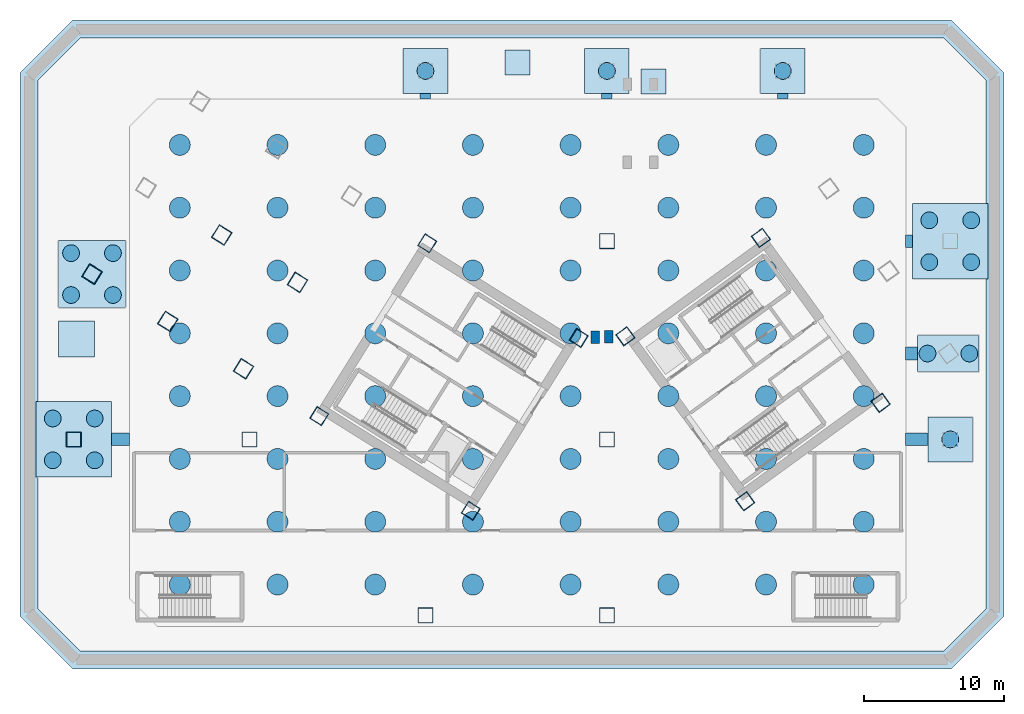
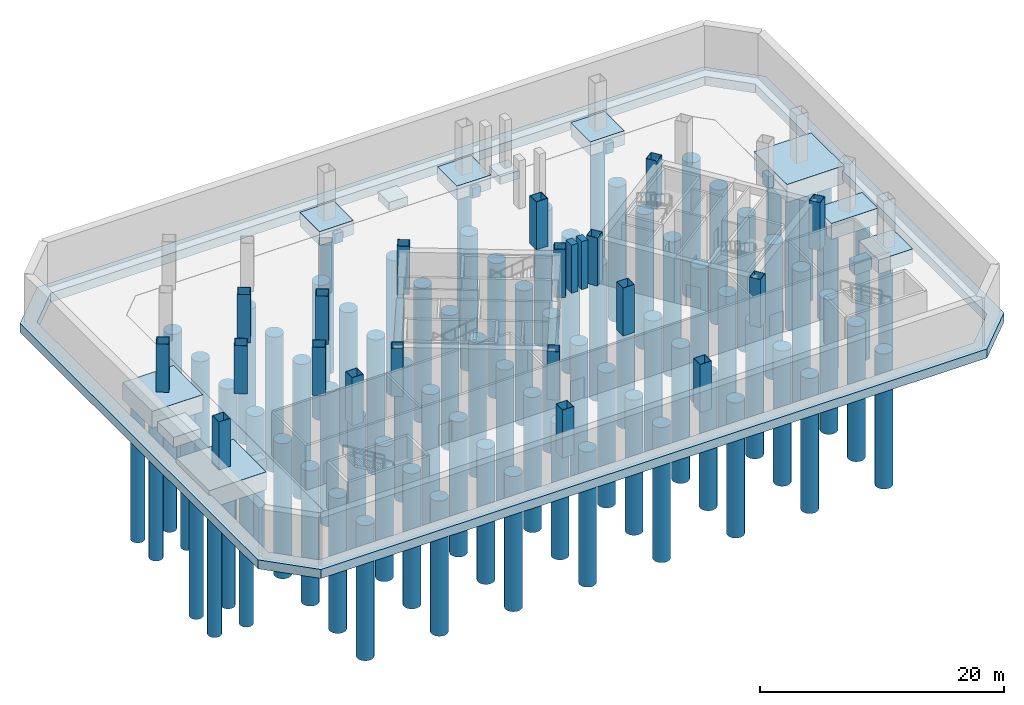
# One storey, part 1 of 11: 82 piles, 21 columns, 19 footings.
"""IFC4 building model written with IfcOpenShell, lengths in metres."""

from ifc_helpers import new_model, si_unit, direction, frame, origin, origin_2d, place, context, subcontext, project, spatial, polyline, rectangle, hollow_rectangle, circle, outline, extrude, source, transform, mapped, material, material_profile, profile_set, type_object, element, save


model = new_model("IFC4")

# Units and contexts
model_context = context("Model", 3, precision=1e-05, world=origin(), true_north=direction((0.0, 1.0)))
body_context = subcontext(model_context, "Body", "Model", "MODEL_VIEW")
ifc_project = project(units=[si_unit("LENGTHUNIT", "METRE"), si_unit("AREAUNIT", "SQUARE_METRE"), si_unit("VOLUMEUNIT", "CUBIC_METRE"), si_unit("PLANEANGLEUNIT", "RADIAN"), si_unit("MASSUNIT", "GRAM", prefix="KILO")], contexts=[model_context])

# Site, building, storey
site_placement = place(None, origin())
site = spatial("IfcSite", under=ifc_project, at=site_placement, CompositionType="ELEMENT")
building_placement = place(site_placement, origin())
building = spatial("IfcBuilding", under=site, at=building_placement, Name="Tlacorven Tower", CompositionType="ELEMENT")
storey_placement = place(building_placement, frame((0.0, 0.0, -9.60009765625)))
storey = spatial("IfcBuildingStorey", under=building, at=storey_placement, Name="B2", CompositionType="ELEMENT", Elevation=-9.60009765625)

# Footings
ifc_material_1 = material(Name="Concrete C50/60", Category="concrete")
footing_type_1 = type_object("IfcFootingType", Name="FT-GBM-750", PredefinedType="FOOTING_BEAM", material=ifc_material_1)
footing_1_placement = place(storey_placement, frame((0.0, 0.0, -1.449951171875)))
element("IfcFooting", 1, at=footing_1_placement, inside=storey, type_object=footing_type_1, Name="B2 Foundation Tie Beam 02", PredefinedType="FOOTING_BEAM", context=body_context, shape_type="SweptSolid", body=[
    extrude(outline(polyline([(30.175048828125, 41.60009765625), (30.175048828125, 42.0), (29.425048828125, 42.0), (29.425048828125, 41.60009765625), (30.175048828125, 41.60009765625)])), origin(), (0.0, 0.0, 1.0), 1.0),
])
footing_2_placement = place(storey_placement, frame((0.0, 0.0, -1.449951171875)))
element("IfcFooting", 2, at=footing_2_placement, inside=storey, type_object=footing_type_1, Name="B2 Foundation Tie Beam 03", PredefinedType="FOOTING_BEAM", context=body_context, shape_type="SweptSolid", body=[
    extrude(outline(polyline([(43.175048828125, 41.60009765625), (43.175048828125, 42.0), (42.425048828125, 42.0), (42.425048828125, 41.60009765625), (43.175048828125, 41.60009765625)])), origin(), (0.0, 0.0, 1.0), 1.0),
])
footing_3_placement = place(storey_placement, frame((0.0, 0.0, -1.449951171875)))
element("IfcFooting", 3, at=footing_3_placement, inside=storey, type_object=footing_type_1, Name="B2 Foundation Tie Beam 04", PredefinedType="FOOTING_BEAM", context=body_context, shape_type="SweptSolid", body=[
    extrude(outline(polyline([(55.77490234375, 41.60009765625), (55.77490234375, 42.0), (55.02490234375, 42.0), (55.02490234375, 41.60009765625), (55.77490234375, 41.60009765625)])), origin(), (0.0, 0.0, 1.0), 1.0),
])
footing_type_2 = type_object("IfcFootingType", Name="FT-GBM-900", PredefinedType="FOOTING_BEAM", material=ifc_material_1)
footing_4_placement = place(storey_placement, frame((0.0, 0.0, -1.64990234375)))
element("IfcFooting", 4, at=footing_4_placement, inside=storey, type_object=footing_type_2, Name="B2 Foundation Tie Beam 01", PredefinedType="FOOTING_BEAM", context=body_context, shape_type="SweptSolid", body=[
    extrude(outline(polyline([(7.300048828125, 16.75), (8.60009765625, 16.75), (8.60009765625, 17.64990234375), (7.300048828125, 17.64990234375), (7.300048828125, 16.75)])), origin(), (0.0, 0.0, 1.0), 1.199951171875),
])
footing_5_placement = place(storey_placement, frame((0.0, 0.0, -1.64990234375)))
element("IfcFooting", 5, at=footing_5_placement, inside=storey, type_object=footing_type_2, Name="B2 Foundation Tie Beam 05", PredefinedType="FOOTING_BEAM", context=body_context, shape_type="SweptSolid", body=[
    extrude(outline(polyline([(64.199951171875, 22.904052734375), (65.068115234375, 22.904052734375), (65.068115234375, 23.803955078125), (64.199951171875, 23.803955078125), (64.199951171875, 22.904052734375)])), origin(), (0.0, 0.0, 1.0), 1.199951171875),
])
footing_6_placement = place(storey_placement, frame((0.0, 0.0, -1.64990234375)))
element("IfcFooting", 6, at=footing_6_placement, inside=storey, type_object=footing_type_2, Name="B2 Foundation Tie Beam 06", PredefinedType="FOOTING_BEAM", context=body_context, shape_type="SweptSolid", body=[
    extrude(outline(polyline([(64.199951171875, 16.75), (65.800048828125, 16.75), (65.800048828125, 17.64990234375), (64.199951171875, 17.64990234375), (64.199951171875, 16.75)])), origin(), (0.0, 0.0, 1.0), 1.199951171875),
])
footing_7_placement = place(storey_placement, frame((0.0, 0.0, -1.64990234375)))
element("IfcFooting", 7, at=footing_7_placement, inside=storey, type_object=footing_type_2, Name="B2 Foundation Tie Beam 07", PredefinedType="FOOTING_BEAM", context=body_context, shape_type="SweptSolid", body=[
    extrude(outline(polyline([(64.199951171875, 30.949951171875), (64.699951171875, 30.949951171875), (64.699951171875, 31.85009765625), (64.199951171875, 31.85009765625), (64.199951171875, 30.949951171875)])), origin(), (0.0, 0.0, 1.0), 1.199951171875),
])
footing_type_3 = type_object("IfcFootingType", Name="FT-STR-1400", PredefinedType="STRIP_FOOTING", material=ifc_material_1)
footing_8_placement = place(storey_placement, frame((0.0, 0.0, -1.349853515625)))
element("IfcFooting", 8, at=footing_8_placement, inside=storey, type_object=footing_type_3, Name="B2 Perimeter Retaining Wall Strip Footing 1", PredefinedType="STRIP_FOOTING", context=body_context, shape_type="SweptSolid", body=[
    extrude(outline(polyline([(0.75, 43.46923828125), (4.53076171875, 47.25), (67.46923828125, 47.25), (71.25, 43.46923828125), (71.25, 4.53076171875), (67.46923828125, 0.75), (4.53076171875, 0.75), (0.75, 4.53076171875), (0.75, 43.46923828125)]), holes=[polyline([(69.949951171875, 5.0693359375), (69.949951171875, 28.679931640625), (70.10009765625, 28.679931640625), (70.10205078125, 28.68017578125), (70.10400390625, 28.680419921875), (70.105712890625, 28.680908203125), (70.107666015625, 28.681640625), (70.109375, 28.682373046875), (70.111083984375, 28.683349609375), (70.11279296875, 28.6845703125), (70.1142578125, 28.685791015625), (70.115478515625, 28.687255859375), (70.11669921875, 28.68896484375), (70.11767578125, 28.690673828125), (70.118408203125, 28.6923828125), (70.119140625, 28.694091796875), (70.11962890625, 28.696044921875), (70.119873046875, 28.697998046875), (70.1201171875, 28.699951171875), (70.1201171875, 34.10009765625), (70.119873046875, 34.10205078125), (70.11962890625, 34.10400390625), (70.119140625, 34.105712890625), (70.118408203125, 34.107666015625), (70.11767578125, 34.109375), (70.11669921875, 34.111083984375), (70.115478515625, 34.11279296875), (70.1142578125, 34.1142578125), (70.11279296875, 34.115478515625), (70.111083984375, 34.11669921875), (70.109375, 34.11767578125), (70.107666015625, 34.118408203125), (70.105712890625, 34.119140625), (70.10400390625, 34.11962890625), (70.10205078125, 34.119873046875), (70.10009765625, 34.1201171875), (69.949951171875, 34.1201171875), (69.949951171875, 42.9306640625), (66.9306640625, 45.949951171875), (5.0693359375, 45.949951171875), (2.050048828125, 42.9306640625), (2.050048828125, 19.919921875), (1.89990234375, 19.919921875), (1.89794921875, 19.919921875), (1.89599609375, 19.919677734375), (1.894287109375, 19.919189453125), (1.892333984375, 19.91845703125), (1.890625, 19.917724609375), (1.888916015625, 19.916748046875), (1.88720703125, 19.91552734375), (1.8857421875, 19.9140625), (1.884521484375, 19.91259765625), (1.88330078125, 19.9111328125), (1.88232421875, 19.909423828125), (1.881591796875, 19.90771484375), (1.880859375, 19.90576171875), (1.88037109375, 19.90380859375), (1.880126953125, 19.90185546875), (1.8798828125, 19.89990234375), (1.8798828125, 14.5), (1.880126953125, 14.498046875), (1.88037109375, 14.49609375), (1.880859375, 14.494140625), (1.881591796875, 14.492431640625), (1.88232421875, 14.490478515625), (1.88330078125, 14.48876953125), (1.884521484375, 14.4873046875), (1.8857421875, 14.48583984375), (1.88720703125, 14.484619140625), (1.888916015625, 14.4833984375), (1.890625, 14.482421875), (1.892333984375, 14.4814453125), (1.894287109375, 14.48095703125), (1.89599609375, 14.48046875), (1.89794921875, 14.47998046875), (1.89990234375, 14.47998046875), (2.050048828125, 14.47998046875), (2.050048828125, 5.0693359375), (5.0693359375, 2.050048828125), (66.9306640625, 2.050048828125), (69.949951171875, 5.0693359375)])]), origin(), (0.0, 0.0, 1.0), 0.89990234375),
])

# Piles
ifc_material_profile_1 = material_profile(ifc_material_1, circle(Radius=0.75, at=origin_2d()), Name="BORED PILE D1500")
ifc_profile_set_1 = profile_set([ifc_material_profile_1], Name="Concrete C50/60")
pile_type_1 = type_object("IfcPileType", Name="PL-BRD-1500", PredefinedType="BORED", material=ifc_profile_set_1)
shared_shape_1 = source(origin(), body_context, "Body", "SweptSolid", [
    extrude(circle(Radius=0.75, at=origin_2d()), origin(), (0.0, 0.0, 1.0), 13.5),
])
for number, where, z_axis, x_axis, name in (
    (9, (12.199951171875, 6.800048828125, -1.89990234375), (0.0, 0.0, -1.0), (1.0, 0.0, 0.0), "B2 Raft Bored Pile 001"),
    (10, (12.199951171875, 11.300048828125, -1.89990234375), (0.0, 0.0, -1.0), (1.0, 0.0, 0.0), "B2 Raft Bored Pile 002"),
    (11, (12.199951171875, 15.800048828125, -1.89990234375), (0.0, 0.0, -1.0), (1.0, 0.0, 0.0), "B2 Raft Bored Pile 003"),
    (12, (12.199951171875, 20.300048828125, -1.89990234375), (0.0, 0.0, -1.0), (1.0, 0.0, 0.0), "B2 Raft Bored Pile 004"),
    (13, (12.199951171875, 24.800048828125, -1.89990234375), (0.0, 0.0, -1.0), (1.0, 0.0, 0.0), "B2 Raft Bored Pile 005"),
    (14, (12.199951171875, 29.300048828125, -1.89990234375), (0.0, 0.0, -1.0), (1.0, 0.0, 0.0), "B2 Raft Bored Pile 006"),
    (15, (12.199951171875, 33.800048828125, -1.89990234375), (0.0, 0.0, -1.0), (1.0, 0.0, 0.0), "B2 Raft Bored Pile 007"),
    (16, (12.199951171875, 38.300048828125, -1.89990234375), (0.0, 0.0, -1.0), (1.0, 0.0, 0.0), "B2 Raft Bored Pile 008"),
    (17, (19.199951171875, 6.800048828125, -1.89990234375), (0.0, 0.0, -1.0), (1.0, 0.0, 0.0), "B2 Raft Bored Pile 009"),
    (18, (19.199951171875, 11.300048828125, -1.89990234375), (0.0, 0.0, -1.0), (1.0, 0.0, 0.0), "B2 Raft Bored Pile 010"),
    (19, (19.199951171875, 15.800048828125, -1.89990234375), (0.0, 0.0, -1.0), (1.0, 0.0, 0.0), "B2 Raft Bored Pile 011"),
    (20, (19.199951171875, 20.300048828125, -1.89990234375), (0.0, 0.0, -1.0), (1.0, 0.0, 0.0), "B2 Raft Bored Pile 012"),
    (21, (19.199951171875, 24.800048828125, -1.89990234375), (0.0, 0.0, -1.0), (1.0, 0.0, 0.0), "B2 Raft Bored Pile 013"),
    (22, (19.199951171875, 29.300048828125, -1.89990234375), (0.0, 0.0, -1.0), (1.0, 0.0, 0.0), "B2 Raft Bored Pile 014"),
    (23, (19.199951171875, 33.800048828125, -1.89990234375), (0.0, 0.0, -1.0), (1.0, 0.0, 0.0), "B2 Raft Bored Pile 015"),
    (24, (19.199951171875, 38.300048828125, -1.89990234375), (0.0, 0.0, -1.0), (1.0, 0.0, 0.0), "B2 Raft Bored Pile 016"),
    (25, (26.199951171875, 6.800048828125, -1.89990234375), (0.0, 0.0, -1.0), (1.0, 0.0, 0.0), "B2 Raft Bored Pile 017"),
    (26, (26.199951171875, 11.300048828125, -1.89990234375), (0.0, 0.0, -1.0), (1.0, 0.0, 0.0), "B2 Raft Bored Pile 018"),
    (27, (26.199951171875, 15.800048828125, -1.89990234375), (0.0, 0.0, -1.0), (1.0, 0.0, 0.0), "B2 Raft Bored Pile 019"),
    (28, (26.199951171875, 20.300048828125, -1.89990234375), (0.0, 0.0, -1.0), (1.0, 0.0, 0.0), "B2 Raft Bored Pile 020"),
    (29, (26.199951171875, 24.800048828125, -1.89990234375), (0.0, 0.0, -1.0), (1.0, 0.0, 0.0), "B2 Raft Bored Pile 021"),
    (30, (26.199951171875, 29.300048828125, -1.89990234375), (0.0, 0.0, -1.0), (1.0, 0.0, 0.0), "B2 Raft Bored Pile 022"),
    (31, (26.199951171875, 33.800048828125, -1.89990234375), (0.0, 0.0, -1.0), (1.0, 0.0, 0.0), "B2 Raft Bored Pile 023"),
    (32, (26.199951171875, 38.300048828125, -1.89990234375), (0.0, 0.0, -1.0), (1.0, 0.0, 0.0), "B2 Raft Bored Pile 024"),
    (33, (33.199951171875, 6.800048828125, -1.89990234375), (0.0, 0.0, -1.0), (1.0, 0.0, 0.0), "B2 Raft Bored Pile 025"),
    (34, (33.199951171875, 11.300048828125, -1.89990234375), (0.0, 0.0, -1.0), (1.0, 0.0, 0.0), "B2 Raft Bored Pile 026"),
    (35, (33.199951171875, 15.800048828125, -1.89990234375), (0.0, 0.0, -1.0), (1.0, 0.0, 0.0), "B2 Raft Bored Pile 027"),
    (36, (33.199951171875, 20.300048828125, -1.89990234375), (0.0, 0.0, -1.0), (1.0, 0.0, 0.0), "B2 Raft Bored Pile 028"),
    (37, (33.199951171875, 24.800048828125, -1.89990234375), (0.0, 0.0, -1.0), (1.0, 0.0, 0.0), "B2 Raft Bored Pile 029"),
    (38, (33.199951171875, 29.300048828125, -1.89990234375), (0.0, 0.0, -1.0), (1.0, 0.0, 0.0), "B2 Raft Bored Pile 030"),
    (39, (33.199951171875, 33.800048828125, -1.89990234375), (0.0, 0.0, -1.0), (1.0, 0.0, 0.0), "B2 Raft Bored Pile 031"),
    (40, (33.199951171875, 38.300048828125, -1.89990234375), (0.0, 0.0, -1.0), (1.0, 0.0, 0.0), "B2 Raft Bored Pile 032"),
    (41, (40.199951171875, 6.800048828125, -1.89990234375), (0.0, 0.0, -1.0), (1.0, 0.0, 0.0), "B2 Raft Bored Pile 033"),
    (42, (40.199951171875, 11.300048828125, -1.89990234375), (0.0, 0.0, -1.0), (1.0, 0.0, 0.0), "B2 Raft Bored Pile 034"),
    (43, (40.199951171875, 15.800048828125, -1.89990234375), (0.0, 0.0, -1.0), (1.0, 0.0, 0.0), "B2 Raft Bored Pile 035"),
    (44, (40.199951171875, 20.300048828125, -1.89990234375), (0.0, 0.0, -1.0), (1.0, 0.0, 0.0), "B2 Raft Bored Pile 036"),
    (45, (40.199951171875, 24.800048828125, -1.89990234375), (0.0, 0.0, -1.0), (1.0, 0.0, 0.0), "B2 Raft Bored Pile 037"),
    (46, (40.199951171875, 29.300048828125, -1.89990234375), (0.0, 0.0, -1.0), (1.0, 0.0, 0.0), "B2 Raft Bored Pile 038"),
    (47, (40.199951171875, 33.800048828125, -1.89990234375), (0.0, 0.0, -1.0), (1.0, 0.0, 0.0), "B2 Raft Bored Pile 039"),
    (48, (40.199951171875, 38.300048828125, -1.89990234375), (0.0, 0.0, -1.0), (1.0, 0.0, 0.0), "B2 Raft Bored Pile 040"),
    (49, (47.199951171875, 6.800048828125, -1.89990234375), (0.0, 0.0, -1.0), (1.0, 0.0, 0.0), "B2 Raft Bored Pile 041"),
    (50, (47.199951171875, 11.300048828125, -1.89990234375), (0.0, 0.0, -1.0), (1.0, 0.0, 0.0), "B2 Raft Bored Pile 042"),
    (51, (47.199951171875, 15.800048828125, -1.89990234375), (0.0, 0.0, -1.0), (1.0, 0.0, 0.0), "B2 Raft Bored Pile 043"),
    (52, (47.199951171875, 20.300048828125, -1.89990234375), (0.0, 0.0, -1.0), (1.0, 0.0, 0.0), "B2 Raft Bored Pile 044"),
    (53, (47.199951171875, 24.800048828125, -1.89990234375), (0.0, 0.0, -1.0), (1.0, 0.0, 0.0), "B2 Raft Bored Pile 045"),
    (54, (47.199951171875, 29.300048828125, -1.89990234375), (0.0, 0.0, -1.0), (1.0, 0.0, 0.0), "B2 Raft Bored Pile 046"),
    (55, (47.199951171875, 33.800048828125, -1.89990234375), (0.0, 0.0, -1.0), (1.0, 0.0, 0.0), "B2 Raft Bored Pile 047"),
    (56, (47.199951171875, 38.300048828125, -1.89990234375), (0.0, 0.0, -1.0), (1.0, 0.0, 0.0), "B2 Raft Bored Pile 048"),
    (57, (54.199951171875, 6.800048828125, -1.89990234375), (0.0, 0.0, -1.0), (1.0, 0.0, 0.0), "B2 Raft Bored Pile 049"),
    (58, (54.199951171875, 11.300048828125, -1.89990234375), (0.0, 0.0, -1.0), (1.0, 0.0, 0.0), "B2 Raft Bored Pile 050"),
    (59, (54.199951171875, 15.800048828125, -1.89990234375), (0.0, 0.0, -1.0), (1.0, 0.0, 0.0), "B2 Raft Bored Pile 051"),
    (60, (54.199951171875, 20.300048828125, -1.89990234375), (0.0, 0.0, -1.0), (1.0, 0.0, 0.0), "B2 Raft Bored Pile 052"),
    (61, (54.199951171875, 24.800048828125, -1.89990234375), (0.0, 0.0, -1.0), (1.0, 0.0, 0.0), "B2 Raft Bored Pile 053"),
    (62, (54.199951171875, 29.300048828125, -1.89990234375), (0.0, 0.0, -1.0), (1.0, 0.0, 0.0), "B2 Raft Bored Pile 054"),
    (63, (54.199951171875, 33.800048828125, -1.89990234375), (0.0, 0.0, -1.0), (1.0, 0.0, 0.0), "B2 Raft Bored Pile 055"),
    (64, (54.199951171875, 38.300048828125, -1.89990234375), (0.0, 0.0, -1.0), (1.0, 0.0, 0.0), "B2 Raft Bored Pile 056"),
    (65, (61.199951171875, 6.800048828125, -1.89990234375), (0.0, 0.0, -1.0), (1.0, 0.0, 0.0), "B2 Raft Bored Pile 057"),
    (66, (61.199951171875, 11.300048828125, -1.89990234375), (0.0, 0.0, -1.0), (1.0, 0.0, 0.0), "B2 Raft Bored Pile 058"),
    (67, (61.199951171875, 15.800048828125, -1.89990234375), (0.0, 0.0, -1.0), (1.0, 0.0, 0.0), "B2 Raft Bored Pile 059"),
    (68, (61.199951171875, 20.300048828125, -1.89990234375), (0.0, 0.0, -1.0), (1.0, 0.0, 0.0), "B2 Raft Bored Pile 060"),
    (69, (61.199951171875, 24.800048828125, -1.89990234375), (0.0, 0.0, -1.0), (1.0, 0.0, 0.0), "B2 Raft Bored Pile 061"),
    (70, (61.199951171875, 29.300048828125, -1.89990234375), (0.0, 0.0, -1.0), (1.0, 0.0, 0.0), "B2 Raft Bored Pile 062"),
    (71, (61.199951171875, 33.800048828125, -1.89990234375), (0.0, 0.0, -1.0), (1.0, 0.0, 0.0), "B2 Raft Bored Pile 063"),
    (72, (61.199951171875, 38.300048828125, -1.89990234375), (0.0, 0.0, -1.0), (1.0, 0.0, 0.0), "B2 Raft Bored Pile 064"),
):
    element("IfcPile", number, at=place(storey_placement, frame(where, z_axis=z_axis, x_axis=x_axis)), inside=storey, type_object=pile_type_1, Name=name, PredefinedType="BORED", context=body_context, shape_type="MappedRepresentation", body=[
        mapped(shared_shape_1, transform((0.0, 0.0, 0.0), scale=1.0)),
    ])

# Footings
footing_type_4 = type_object("IfcFootingType", Name="FT-CAP-5400", PredefinedType="PILE_CAP", material=ifc_material_1)
shared_shape_2 = source(origin(), body_context, "Body", "SweptSolid", [
    extrude(rectangle(XDim=5.39990234375, YDim=5.39990234375, at=origin_2d()), origin(), (0.0, 0.0, 1.0), 1.800048828125),
])
for number, where, z_axis, x_axis, name in (
    (73, (4.60009765625, 17.199951171875, -1.7998046875), (0.0, 0.0, 1.0), (1.0, 0.0, 0.0), "B2 Pile Cap CAP-B2-01"),
    (74, (67.39990234375, 31.39990234375, -1.7998046875), (0.0, 0.0, 1.0), (1.0, 0.0, 0.0), "B2 Pile Cap CAP-B2-06"),
):
    element("IfcFooting", number, at=place(storey_placement, frame(where, z_axis=z_axis, x_axis=x_axis)), inside=storey, type_object=footing_type_4, Name=name, PredefinedType="PILE_CAP", context=body_context, shape_type="MappedRepresentation", body=[
        mapped(shared_shape_2, transform((0.0, 0.0, 0.0), scale=1.0)),
    ])

# Piles
ifc_material_profile_2 = material_profile(ifc_material_1, circle(Radius=0.60009765625, at=origin_2d()), Name="BORED PILE D1200")
ifc_profile_set_2 = profile_set([ifc_material_profile_2], Name="Concrete C50/60")
pile_type_2 = type_object("IfcPileType", Name="PL-BRD-1200", PredefinedType="BORED", material=ifc_profile_set_2)
shared_shape_3 = source(origin(), body_context, "Body", "SweptSolid", [
    extrude(circle(Radius=0.60009765625, at=origin_2d()), origin(), (0.0, 0.0, 1.0), 13.699951171875),
])
for number, where, z_axis, x_axis, name in (
    (75, (3.10009765625, 15.699951171875, -1.699951171875), (0.0, 0.0, -1.0), (1.0, 0.0, 0.0), "B2 Cap Bored Pile CAP-B2-01-1"),
    (76, (6.10009765625, 15.699951171875, -1.699951171875), (0.0, 0.0, -1.0), (1.0, 0.0, 0.0), "B2 Cap Bored Pile CAP-B2-01-2"),
    (77, (6.10009765625, 18.699951171875, -1.699951171875), (0.0, 0.0, -1.0), (1.0, 0.0, 0.0), "B2 Cap Bored Pile CAP-B2-01-3"),
    (78, (3.10009765625, 18.699951171875, -1.699951171875), (0.0, 0.0, -1.0), (1.0, 0.0, 0.0), "B2 Cap Bored Pile CAP-B2-01-4"),
    (79, (65.89990234375, 29.89990234375, -1.699951171875), (0.0, 0.0, -1.0), (1.0, 0.0, 0.0), "B2 Cap Bored Pile CAP-B2-06-1"),
    (80, (68.89990234375, 29.89990234375, -1.699951171875), (0.0, 0.0, -1.0), (1.0, 0.0, 0.0), "B2 Cap Bored Pile CAP-B2-06-2"),
    (81, (68.89990234375, 32.89990234375, -1.699951171875), (0.0, 0.0, -1.0), (1.0, 0.0, 0.0), "B2 Cap Bored Pile CAP-B2-06-3"),
    (82, (65.89990234375, 32.89990234375, -1.699951171875), (0.0, 0.0, -1.0), (1.0, 0.0, 0.0), "B2 Cap Bored Pile CAP-B2-06-4"),
):
    element("IfcPile", number, at=place(storey_placement, frame(where, z_axis=z_axis, x_axis=x_axis)), inside=storey, type_object=pile_type_2, Name=name, PredefinedType="BORED", context=body_context, shape_type="MappedRepresentation", body=[
        mapped(shared_shape_3, transform((0.0, 0.0, 0.0), scale=1.0)),
    ])

# Footings
footing_type_5 = type_object("IfcFootingType", Name="FT-CAP-3200", PredefinedType="PILE_CAP", material=ifc_material_1)
shared_shape_4 = source(origin(), body_context, "Body", "SweptSolid", [
    extrude(rectangle(XDim=3.199951171875, YDim=3.199951171875, at=origin_2d()), origin(), (0.0, 0.0, 1.0), 1.39990234375),
])
for number, where, z_axis, x_axis, name in (
    (83, (29.800048828125, 43.60009765625, -1.39990234375), (0.0, 0.0, 1.0), (1.0, 0.0, 0.0), "B2 Pile Cap CAP-B2-02"),
    (84, (42.800048828125, 43.60009765625, -1.39990234375), (0.0, 0.0, 1.0), (1.0, 0.0, 0.0), "B2 Pile Cap CAP-B2-03"),
    (85, (55.39990234375, 43.60009765625, -1.39990234375), (0.0, 0.0, 1.0), (1.0, 0.0, 0.0), "B2 Pile Cap CAP-B2-04"),
    (86, (67.39990234375, 17.199951171875, -1.39990234375), (0.0, 0.0, 1.0), (1.0, 0.0, 0.0), "B2 Pile Cap CAP-B2-05"),
):
    element("IfcFooting", number, at=place(storey_placement, frame(where, z_axis=z_axis, x_axis=x_axis)), inside=storey, type_object=footing_type_5, Name=name, PredefinedType="PILE_CAP", context=body_context, shape_type="MappedRepresentation", body=[
        mapped(shared_shape_4, transform((0.0, 0.0, 0.0), scale=1.0)),
    ])

# Piles
shared_shape_5 = source(origin(), body_context, "Body", "SweptSolid", [
    extrude(circle(Radius=0.60009765625, at=origin_2d()), origin(), (0.0, 0.0, 1.0), 14.10009765625),
])
for number, where, z_axis, x_axis, name in (
    (87, (29.800048828125, 43.60009765625, -1.2998046875), (0.0, 0.0, -1.0), (1.0, 0.0, 0.0), "B2 Cap Bored Pile CAP-B2-02-1"),
    (88, (42.800048828125, 43.60009765625, -1.2998046875), (0.0, 0.0, -1.0), (1.0, 0.0, 0.0), "B2 Cap Bored Pile CAP-B2-03-1"),
    (89, (55.39990234375, 43.60009765625, -1.2998046875), (0.0, 0.0, -1.0), (1.0, 0.0, 0.0), "B2 Cap Bored Pile CAP-B2-04-1"),
    (90, (67.39990234375, 17.199951171875, -1.2998046875), (0.0, 0.0, -1.0), (1.0, 0.0, 0.0), "B2 Cap Bored Pile CAP-B2-05-1"),
):
    element("IfcPile", number, at=place(storey_placement, frame(where, z_axis=z_axis, x_axis=x_axis)), inside=storey, type_object=pile_type_2, Name=name, PredefinedType="BORED", context=body_context, shape_type="MappedRepresentation", body=[
        mapped(shared_shape_5, transform((0.0, 0.0, 0.0), scale=1.0)),
    ])

# Footing
footing_type_6 = type_object("IfcFootingType", Name="FT-CAP-4800", PredefinedType="PILE_CAP", material=ifc_material_1)
shared_shape_6 = source(origin(), body_context, "Body", "SweptSolid", [
    extrude(rectangle(XDim=4.800048828125, YDim=4.800048828125, at=origin_2d()), origin(), (0.0, 0.0, 1.0), 1.699951171875),
])
footing_9_placement = place(storey_placement, frame((5.90869140625, 29.044189453125, -1.69970703125), z_axis=(0.0, 0.0, 1.0), x_axis=(1.0, 0.0, 0.0)))
element("IfcFooting", 91, at=footing_9_placement, inside=storey, type_object=footing_type_6, Name="B2 Pile Cap CAP-B2-07", PredefinedType="PILE_CAP", context=body_context, shape_type="MappedRepresentation", body=[
    mapped(shared_shape_6, transform((0.0, 0.0, 0.0), scale=1.0)),
])

# Piles
shared_shape_7 = source(origin(), body_context, "Body", "SweptSolid", [
    extrude(circle(Radius=0.60009765625, at=origin_2d()), origin(), (0.0, 0.0, 1.0), 13.800048828125),
])
for number, where, z_axis, x_axis, name in (
    (92, (4.40869140625, 27.544189453125, -1.599853515625), (0.0, 0.0, -1.0), (1.0, 0.0, 0.0), "B2 Cap Bored Pile CAP-B2-07-1"),
    (93, (7.40869140625, 27.544189453125, -1.599853515625), (0.0, 0.0, -1.0), (1.0, 0.0, 0.0), "B2 Cap Bored Pile CAP-B2-07-2"),
    (94, (7.40869140625, 30.544189453125, -1.599853515625), (0.0, 0.0, -1.0), (1.0, 0.0, 0.0), "B2 Cap Bored Pile CAP-B2-07-3"),
    (95, (4.40869140625, 30.544189453125, -1.599853515625), (0.0, 0.0, -1.0), (1.0, 0.0, 0.0), "B2 Cap Bored Pile CAP-B2-07-4"),
):
    element("IfcPile", number, at=place(storey_placement, frame(where, z_axis=z_axis, x_axis=x_axis)), inside=storey, type_object=pile_type_2, Name=name, PredefinedType="BORED", context=body_context, shape_type="MappedRepresentation", body=[
        mapped(shared_shape_7, transform((0.0, 0.0, 0.0), scale=1.0)),
    ])

# Footing
footing_type_7 = type_object("IfcFootingType", Name="FT-CAP-4400", PredefinedType="PILE_CAP", material=ifc_material_1)
shared_shape_8 = source(origin(), body_context, "Body", "SweptSolid", [
    extrude(rectangle(XDim=4.39990234375, YDim=2.60009765625, at=origin_2d()), origin(), (0.0, 0.0, 1.0), 1.60009765625),
])
footing_10_placement = place(storey_placement, frame((67.267822265625, 23.353515625, -1.599853515625), z_axis=(0.0, 0.0, 1.0), x_axis=(1.0, 0.0, 0.0)))
element("IfcFooting", 96, at=footing_10_placement, inside=storey, type_object=footing_type_7, Name="B2 Pile Cap CAP-B2-08", PredefinedType="PILE_CAP", context=body_context, shape_type="MappedRepresentation", body=[
    mapped(shared_shape_8, transform((0.0, 0.0, 0.0), scale=1.0)),
])

# Piles
shared_shape_9 = source(origin(), body_context, "Body", "SweptSolid", [
    extrude(circle(Radius=0.60009765625, at=origin_2d()), origin(), (0.0, 0.0, 1.0), 13.89990234375),
])
for number, where, z_axis, x_axis, name in (
    (97, (65.767578125, 23.353515625, -1.5), (0.0, 0.0, -1.0), (1.0, 0.0, 0.0), "B2 Cap Bored Pile CAP-B2-08-1"),
    (98, (68.767578125, 23.353515625, -1.5), (0.0, 0.0, -1.0), (1.0, 0.0, 0.0), "B2 Cap Bored Pile CAP-B2-08-2"),
):
    element("IfcPile", number, at=place(storey_placement, frame(where, z_axis=z_axis, x_axis=x_axis)), inside=storey, type_object=pile_type_2, Name=name, PredefinedType="BORED", context=body_context, shape_type="MappedRepresentation", body=[
        mapped(shared_shape_9, transform((0.0, 0.0, 0.0), scale=1.0)),
    ])

# Footings
footing_type_8 = type_object("IfcFootingType", Name="FT-PAD-2600", PredefinedType="PAD_FOOTING", material=ifc_material_1)
shared_shape_10 = source(origin(), body_context, "Body", "SweptSolid", [
    extrude(rectangle(XDim=2.60009765625, YDim=2.60009765625, at=origin_2d()), origin(), (0.0, 0.0, 1.0), 1.0),
])
footing_11_placement = place(storey_placement, frame((4.800048828125, 24.39990234375, -1.449951171875), z_axis=(0.0, 0.0, 1.0), x_axis=(1.0, 0.0, 0.0)))
element("IfcFooting", 99, at=footing_11_placement, inside=storey, type_object=footing_type_8, Name="B2 Equipment and Ramp Pad Footing PAD-B2-01", PredefinedType="PAD_FOOTING", context=body_context, shape_type="MappedRepresentation", body=[
    mapped(shared_shape_10, transform((0.0, 0.0, 0.0), scale=1.0)),
])
footing_type_9 = type_object("IfcFootingType", Name="FT-PAD-1800", PredefinedType="PAD_FOOTING", material=ifc_material_1)
shared_shape_11 = source(origin(), body_context, "Body", "SweptSolid", [
    extrude(rectangle(XDim=1.800048828125, YDim=1.800048828125, at=origin_2d()), origin(), (0.0, 0.0, 1.0), 0.800048828125),
])
for number, where, z_axis, x_axis, name in (
    (100, (36.39990234375, 44.199951171875, -1.25), (0.0, 0.0, 1.0), (1.0, 0.0, 0.0), "B2 Equipment and Ramp Pad Footing PAD-B2-03"),
    (101, (46.14990234375, 42.85009765625, -1.25), (0.0, 0.0, 1.0), (1.0, 0.0, 0.0), "B2 Equipment and Ramp Pad Footing PAD-B2-RL2"),
):
    element("IfcFooting", number, at=place(storey_placement, frame(where, z_axis=z_axis, x_axis=x_axis)), inside=storey, type_object=footing_type_9, Name=name, PredefinedType="PAD_FOOTING", context=body_context, shape_type="MappedRepresentation", body=[
        mapped(shared_shape_11, transform((0.0, 0.0, 0.0), scale=1.0)),
    ])

# Columns
ifc_material_2 = material(Name="Precast concrete C50/60", Category="concrete")
ifc_material_profile_3 = material_profile(ifc_material_2, rectangle(XDim=0.60009765625, YDim=0.89990234375, at=origin_2d()), Name="RC 600X900")
ifc_profile_set_3 = profile_set([ifc_material_profile_3], Name="Precast concrete C50/60")
column_type_1 = type_object("IfcColumnType", Name="COL-PIL-01", PredefinedType="PILASTER", material=ifc_profile_set_3)
shared_shape_12 = source(origin(), body_context, "Body", "SweptSolid", [
    extrude(rectangle(XDim=0.60009765625, YDim=0.89990234375, at=origin_2d()), origin(), (0.0, 0.0, 1.0), 4.800048828125),
])
for number, where, z_axis, x_axis, name in (
    (102, (41.962158203125, 24.509521484375, 0.0), (0.0, 0.0, 1.0), (1.0, 0.0, 0.0), "B2 Concourse Bridge Sliding Seat Support Pier"),
    (103, (42.944580078125, 24.5439453125, 0.0), (0.0, 0.0, 1.0), (1.0, 0.0, 0.0), "B2 Concourse Bridge Fixed Seat Support Pier"),
):
    element("IfcColumn", number, at=place(storey_placement, frame(where, z_axis=z_axis, x_axis=x_axis)), inside=storey, type_object=column_type_1, Name=name, PredefinedType="PILASTER", context=body_context, shape_type="MappedRepresentation", body=[
        mapped(shared_shape_12, transform((0.0, 0.0, 0.0), scale=1.0)),
    ])
ifc_material_3 = material(Name="Steel S460M", Category="steel")
ifc_material_profile_4 = material_profile(ifc_material_3, hollow_rectangle(XDim=1.080078125, YDim=1.080078125, WallThickness=0.0400390625, at=origin_2d()), Name="BOX 1080X1080X40")
ifc_profile_set_4 = profile_set([ifc_material_profile_4], Name="Steel S460M")
column_type_2 = type_object("IfcColumnType", Name="COL-POD-M1", PredefinedType="COLUMN", material=ifc_profile_set_4)
shared_shape_13 = source(origin(), body_context, "Body", "SweptSolid", [
    extrude(hollow_rectangle(XDim=1.080078125, YDim=1.080078125, WallThickness=0.0400390625, at=origin_2d()), origin(), (0.0, 0.0, 1.0), 4.800048828125),
])
for number, where, z_axis, x_axis, name in (
    (104, (4.60009765625, 17.199951171875, 0.0), (0.0, 0.0, 1.0), (1.0, 0.0, 0.0), "B2 column COL-B2-P01"),
    (105, (17.199951171875, 17.199951171875, 0.0), (0.0, 0.0, 1.0), (1.0, 0.0, 0.0), "B2 column COL-B2-P02"),
    (106, (29.800048828125, 4.60009765625, 0.0), (0.0, 0.0, 1.0), (1.0, 0.0, 0.0), "B2 column COL-B2-P03"),
    (107, (42.800048828125, 4.60009765625, 0.0), (0.0, 0.0, 1.0), (1.0, 0.0, 0.0), "B2 column COL-B2-P05"),
    (108, (42.800048828125, 17.199951171875, 0.0), (0.0, 0.0, 1.0), (1.0, 0.0, 0.0), "B2 column COL-B2-P06"),
    (109, (42.800048828125, 31.39990234375, 0.0), (0.0, 0.0, 1.0), (1.0, 0.0, 0.0), "B2 column COL-B2-P07"),
    (110, (20.632080078125, 28.4521484375, 0.0), (0.0, 0.0, 1.0), (-0.848048096156, 0.529919264233, 0.0), "B2 column COL-B2-WT12"),
    (111, (16.763671875, 22.26123046875, 0.0), (0.0, 0.0, 1.0), (-0.848048096156, 0.529919264233, 0.0), "B2 column COL-B2-WT13"),
    (112, (15.20458984375, 31.843505859375, 0.0), (0.0, 0.0, 1.0), (-0.848048096156, 0.529919264233, 0.0), "B2 column COL-B2-WT22"),
    (113, (11.336181640625, 25.65283203125, 0.0), (0.0, 0.0, 1.0), (-0.848048096156, 0.529919264233, 0.0), "B2 column COL-B2-WT23"),
    (114, (5.90869140625, 29.044189453125, 0.0), (0.0, 0.0, 1.0), (-0.848048096156, 0.529919264233, 0.0), "B2 column COL-B2-WT33"),
):
    element("IfcColumn", number, at=place(storey_placement, frame(where, z_axis=z_axis, x_axis=x_axis)), inside=storey, type_object=column_type_2, Name=name, PredefinedType="COLUMN", context=body_context, shape_type="MappedRepresentation", body=[
        mapped(shared_shape_13, transform((0.0, 0.0, 0.0), scale=1.0)),
    ])
ifc_material_profile_5 = material_profile(ifc_material_3, hollow_rectangle(XDim=1.0, YDim=1.0, WallThickness=0.0400390625, at=origin_2d()), Name="BOX 1000X1000X40")
ifc_profile_set_5 = profile_set([ifc_material_profile_5], Name="Steel S460M")
column_type_3 = type_object("IfcColumnType", Name="COL-TWR-S1", PredefinedType="COLUMN", material=ifc_profile_set_5)
shared_shape_14 = source(origin(), body_context, "Body", "SweptSolid", [
    extrude(hollow_rectangle(XDim=1.0, YDim=1.0, WallThickness=0.0400390625, at=origin_2d()), origin(), (0.0, 0.0, 1.0), 4.800048828125),
])
for number, where, z_axis, x_axis, name in (
    (115, (40.782958984375, 24.468505859375, 0.0), (0.0, 0.0, 1.0), (-0.848048096156, 0.529919264233, 0.0), "B2 column COL-B2-CW11"),
    (116, (33.046142578125, 12.0869140625, 0.0), (0.0, 0.0, 1.0), (-0.848048096156, 0.529919264233, 0.0), "B2 column COL-B2-CW12"),
    (117, (29.927978515625, 31.25146484375, 0.0), (0.0, 0.0, 1.0), (-0.848048096156, 0.529919264233, 0.0), "B2 column COL-B2-CW21"),
    (118, (22.191162109375, 18.869873046875, 0.0), (0.0, 0.0, 1.0), (-0.848048096156, 0.529919264233, 0.0), "B2 column COL-B2-CW22"),
    (119, (52.705322265625, 12.7734375, 0.0), (0.0, 0.0, 1.0), (0.809016994375, 0.587785252292, 0.0), "B2 column COL-B2-CE11"),
    (120, (44.123779296875, 24.5849609375, 0.0), (0.0, 0.0, 1.0), (0.809016994375, 0.587785252292, 0.0), "B2 column COL-B2-CE12"),
    (121, (62.41357421875, 19.826904296875, 0.0), (0.0, 0.0, 1.0), (0.809016994375, 0.587785252292, 0.0), "B2 column COL-B2-CE21"),
    (122, (53.83203125, 31.638427734375, 0.0), (0.0, 0.0, 1.0), (0.809016994375, 0.587785252292, 0.0), "B2 column COL-B2-CE22"),
):
    element("IfcColumn", number, at=place(storey_placement, frame(where, z_axis=z_axis, x_axis=x_axis)), inside=storey, type_object=column_type_3, Name=name, PredefinedType="COLUMN", context=body_context, shape_type="MappedRepresentation", body=[
        mapped(shared_shape_14, transform((0.0, 0.0, 0.0), scale=1.0)),
    ])

save(model, "model.ifc")
